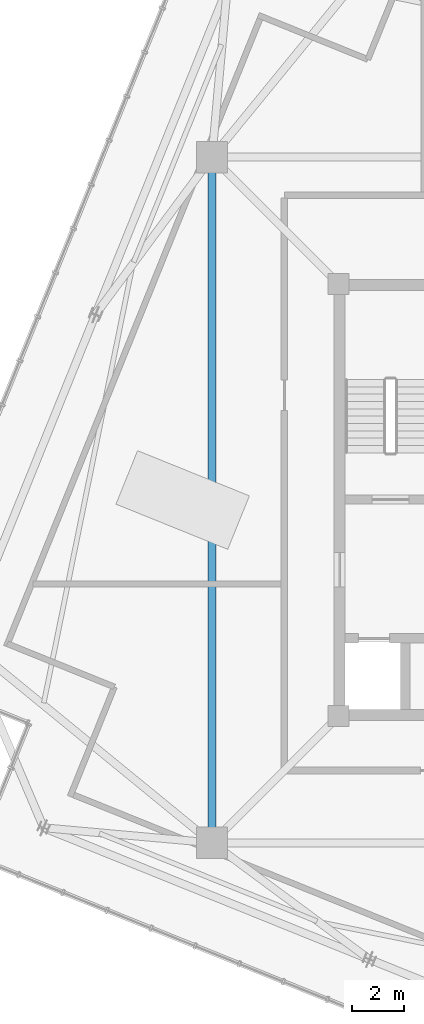
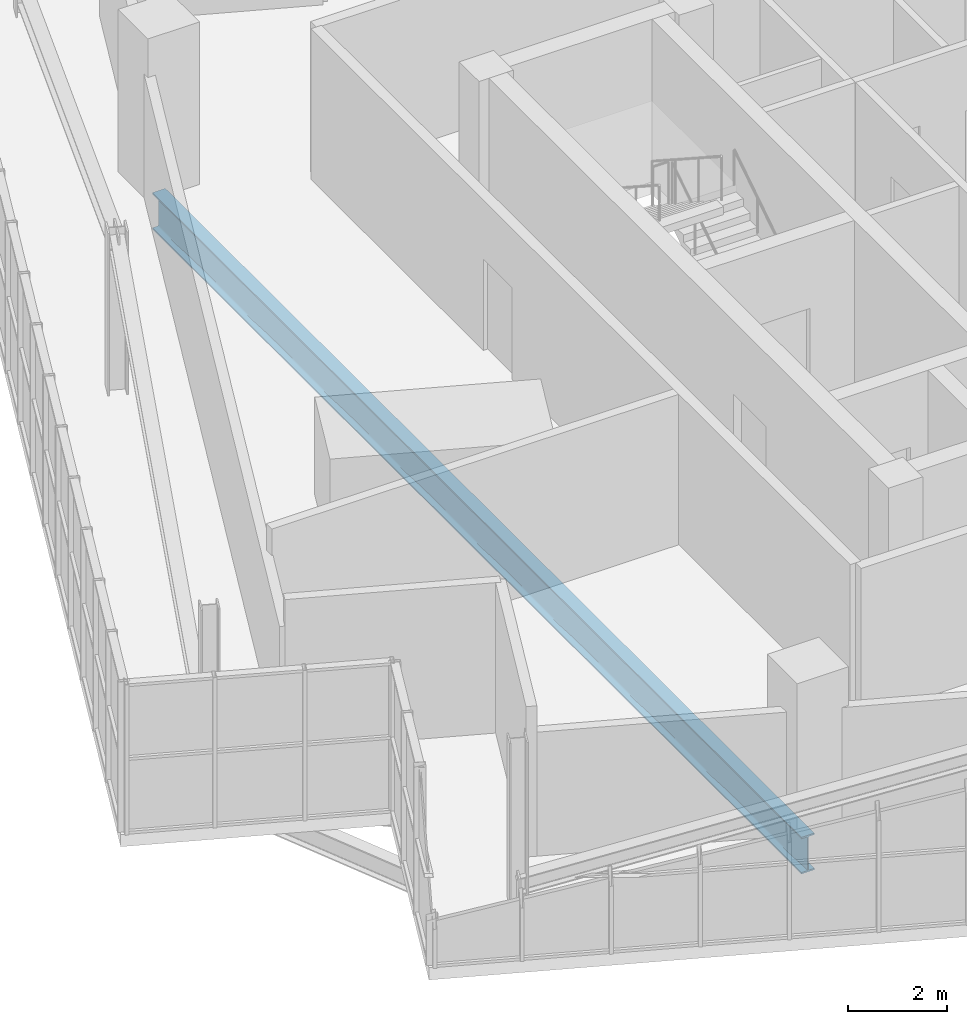
# One storey, part 7 of 26: 1 beam.
"""IFC4 building model written with IfcOpenShell, lengths in metres."""

from ifc_helpers import new_model, si_unit, direction, frame, origin, origin_2d, place, context, subcontext, project, spatial, i_section, extrude, source, transform, mapped, material, material_profile, profile_set, type_object, element, save


model = new_model("IFC4")

# Units and contexts
model_context = context("Model", 3, precision=1e-05, world=origin(), true_north=direction((0.0, 1.0)))
body_context = subcontext(model_context, "Body", "Model", "MODEL_VIEW")
ifc_project = project(units=[si_unit("LENGTHUNIT", "METRE"), si_unit("AREAUNIT", "SQUARE_METRE"), si_unit("VOLUMEUNIT", "CUBIC_METRE"), si_unit("PLANEANGLEUNIT", "RADIAN"), si_unit("MASSUNIT", "GRAM", prefix="KILO"), si_unit("THERMODYNAMICTEMPERATUREUNIT", "KELVIN")], contexts=[model_context])

# Site, building, storey
site_placement = place(None, origin())
site = spatial("IfcSite", under=ifc_project, at=site_placement, CompositionType="ELEMENT")
building_placement = place(site_placement, origin())
building = spatial("IfcBuilding", under=site, at=building_placement, Name="Kosmvard Interchange Tower", CompositionType="ELEMENT")
storey_placement = place(building_placement, frame((0.0, 0.0, 329.60009765625)))
storey = spatial("IfcBuildingStorey", under=building, at=storey_placement, Name="L81", CompositionType="ELEMENT", Elevation=329.60009765625)

# Beam
ifc_material = material(Name="Steel S355", Category="steel")
ifc_material_profile = material_profile(ifc_material, i_section(OverallWidth=0.300048828125, OverallDepth=0.89990234375, WebThickness=0.0185546875, FlangeThickness=0.034912109375, FilletRadius=0.030029296875, at=origin_2d()), Name="HEB 900")
ifc_profile_set = profile_set([ifc_material_profile], Name="Steel S355")
beam_type = type_object("IfcBeamType", Name="Mega-Column Ring Girder HEB 900 S355", PredefinedType="BEAM", material=ifc_profile_set)
shared_shape = source(origin(), body_context, "Body", "SweptSolid", [
    extrude(i_section(OverallWidth=0.300048828125, OverallDepth=0.89990234375, WebThickness=0.0185546875, FlangeThickness=0.034912109375, FilletRadius=0.030029296875, at=origin_2d()), origin(), (0.0, 0.0, 1.0), 26.162109375),
])
beam_placement = place(storey_placement, frame((-13.0810546875, 13.0810546875, -0.75), z_axis=(0.0, -1.0, 0.0), x_axis=(1.0, 0.0, 0.0)))
element("IfcBeam", 1, at=beam_placement, inside=storey, type_object=beam_type, Name="L81 Mega-Column Ring Girder 4", PredefinedType="BEAM", context=body_context, shape_type="MappedRepresentation", body=[
    mapped(shared_shape, transform((0.0, 0.0, 0.0), scale=1.0)),
])

save(model, "model.ifc")
